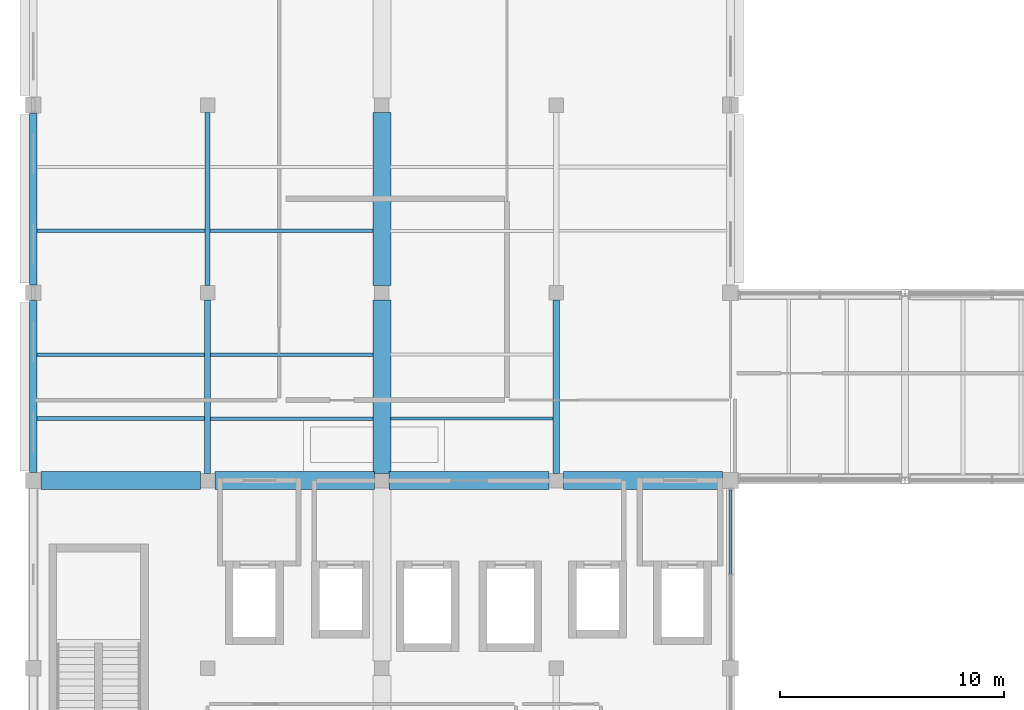
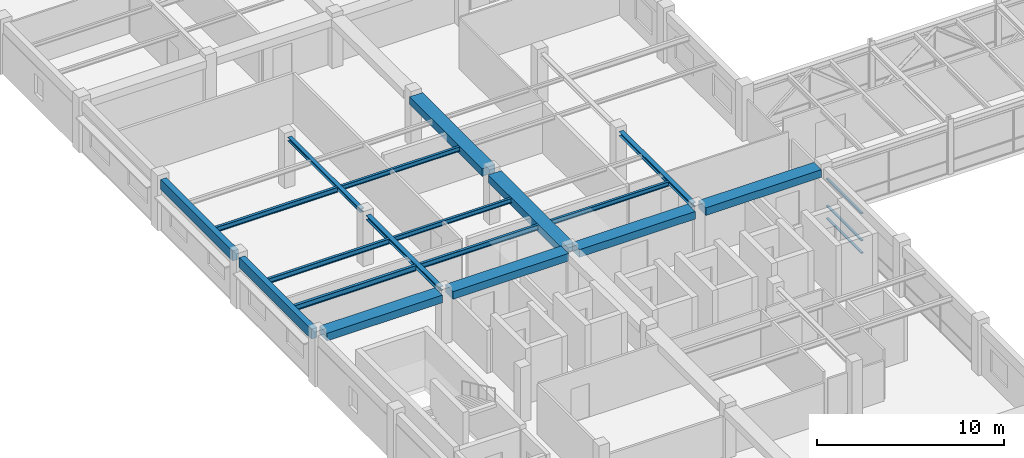
# One storey, part 8 of 49: 18 beams, 3 members, 1 element without a shape of its own.
"""IFC4 building model written with IfcOpenShell, lengths in metres."""

from ifc_helpers import new_model, si_unit, direction, frame, origin, origin_2d, place, context, subcontext, project, spatial, rectangle, hollow_rectangle, i_section, extrude, material, material_profile, profile_set, type_object, element, aggregate, save


model = new_model("IFC4")

# Units and contexts
model_context = context("Model", 3, precision=1e-05, world=origin(), true_north=direction((0.0, 1.0)))
body_context = subcontext(model_context, "Body", "Model", "MODEL_VIEW")
ifc_project = project(units=[si_unit("LENGTHUNIT", "METRE"), si_unit("AREAUNIT", "SQUARE_METRE"), si_unit("VOLUMEUNIT", "CUBIC_METRE"), si_unit("PLANEANGLEUNIT", "RADIAN"), si_unit("MASSUNIT", "GRAM", prefix="KILO"), si_unit("THERMODYNAMICTEMPERATUREUNIT", "KELVIN"), si_unit("POWERUNIT", "WATT")], contexts=[model_context])

# Site, building, storey
site_placement = place(None, origin())
site = spatial("IfcSite", under=ifc_project, at=site_placement, CompositionType="ELEMENT")
building_placement = place(site_placement, origin())
building = spatial("IfcBuilding", under=site, at=building_placement, Name="Srebrne Nadtorze General Hospital", CompositionType="ELEMENT")
storey_placement = place(building_placement, frame((0.0, 0.0, 26.10009765625)))
storey = spatial("IfcBuildingStorey", under=building, at=storey_placement, Name="L06", CompositionType="ELEMENT", Elevation=26.10009765625)

# Curtain wall, members
ifc_material_1 = material(Name="Anodised Aluminium", Category="aluminium")
curtain_wall_type = type_object("IfcCurtainWallType", Name="Unitised curtain wall 7700x2650", PredefinedType="NOTDEFINED", material=ifc_material_1)
curtain_wall_placement = place(storey_placement, origin())
curtain_wall = element("IfcCurtainWall", 1, at=curtain_wall_placement, inside=storey, type_object=curtain_wall_type, Name="Curtain wall CW-151", PredefinedType="NOTDEFINED")
ifc_material_2 = material(Name="Anodised Aluminium", Category="aluminium")
ifc_material_profile_1 = material_profile(ifc_material_2, hollow_rectangle(XDim=0.06494140625, YDim=0.139892578125, WallThickness=0.00390625, at=origin_2d()), Name="AL-TRN-65x140")
ifc_profile_set_1 = profile_set([ifc_material_profile_1], Name="Anodised Aluminium")
member_type = type_object("IfcMemberType", Name="Curtain transom 65x140", PredefinedType="USERDEFINED", material=ifc_profile_set_1)
member_1_placement = place(storey_placement, frame((54.60009765625, 46.232421875, 0.032470703125), z_axis=(0.0, 1.0, 0.0), x_axis=(0.0, 0.0, 1.0)))
member_1 = element("IfcMember", 2, at=member_1_placement, type_object=member_type, Name="CW-151 transom 2.1", ObjectType="TRANSOM", PredefinedType="USERDEFINED", context=body_context, shape_type="SweptSolid", body=[
    extrude(hollow_rectangle(XDim=0.06494140625, YDim=0.139892578125, WallThickness=0.00390625, at=origin_2d()), origin(), (0.0, 0.0, 1.0), 3.752685546875),
])
member_2_placement = place(storey_placement, frame((54.60009765625, 46.232421875, 0.849853515625), z_axis=(0.0, 1.0, 0.0), x_axis=(0.0, 0.0, 1.0)))
member_2 = element("IfcMember", 3, at=member_2_placement, type_object=member_type, Name="CW-151 transom 2.2", ObjectType="TRANSOM", PredefinedType="USERDEFINED", context=body_context, shape_type="SweptSolid", body=[
    extrude(hollow_rectangle(XDim=0.06494140625, YDim=0.139892578125, WallThickness=0.00390625, at=origin_2d()), origin(), (0.0, 0.0, 1.0), 3.752685546875),
])
member_3_placement = place(storey_placement, frame((54.60009765625, 46.232421875, 2.617431640625), z_axis=(0.0, 1.0, 0.0), x_axis=(0.0, 0.0, 1.0)))
member_3 = element("IfcMember", 4, at=member_3_placement, type_object=member_type, Name="CW-151 transom 2.3", ObjectType="TRANSOM", PredefinedType="USERDEFINED", context=body_context, shape_type="SweptSolid", body=[
    extrude(hollow_rectangle(XDim=0.06494140625, YDim=0.139892578125, WallThickness=0.00390625, at=origin_2d()), origin(), (0.0, 0.0, 1.0), 3.752685546875),
])
aggregate(curtain_wall, [member_1, member_2, member_3])

# Beams
ifc_material_3 = material(Name="Steel S355J2", Category="steel")
ifc_material_profile_2 = material_profile(ifc_material_3, i_section(OverallWidth=0.159912109375, OverallDepth=0.330078125, WebThickness=0.007568359375, FlangeThickness=0.011474609375, FilletRadius=0.01806640625, at=origin_2d()), Name="IPE-330")
ifc_profile_set_2 = profile_set([ifc_material_profile_2], Name="Steel S355J2")
beam_type_1 = type_object("IfcBeamType", Name="Deck joist IPE 330", PredefinedType="JOIST", material=ifc_profile_set_2)
beam_1_placement = place(storey_placement, frame((23.570068359375, 56.028076171875, 3.135009765625), z_axis=(1.0, 0.0, 0.0), x_axis=(0.0, 1.0, 0.0)))
element("IfcBeam", 5, at=beam_1_placement, inside=storey, type_object=beam_type_1, Name="Interstitial deck joist SJ-L06-0107", PredefinedType="JOIST", context=body_context, shape_type="SweptSolid", body=[
    extrude(i_section(OverallWidth=0.159912109375, OverallDepth=0.330078125, WebThickness=0.007568359375, FlangeThickness=0.011474609375, FilletRadius=0.01806640625, at=origin_2d()), origin(), (0.0, 0.0, 1.0), 7.494873046875),
])
beam_2_placement = place(storey_placement, frame((23.570068359375, 61.572021484375, 3.135009765625), z_axis=(1.0, 0.0, 0.0), x_axis=(0.0, 1.0, 0.0)))
element("IfcBeam", 6, at=beam_2_placement, inside=storey, type_object=beam_type_1, Name="Interstitial deck joist SJ-L06-0108", PredefinedType="JOIST", context=body_context, shape_type="SweptSolid", body=[
    extrude(i_section(OverallWidth=0.159912109375, OverallDepth=0.330078125, WebThickness=0.007568359375, FlangeThickness=0.011474609375, FilletRadius=0.01806640625, at=origin_2d()), origin(), (0.0, 0.0, 1.0), 7.514892578125),
])
beam_3_placement = place(storey_placement, frame((31.3349609375, 53.172119140625, 3.135009765625), z_axis=(1.0, 0.0, 0.0), x_axis=(0.0, 1.0, 0.0)))
element("IfcBeam", 7, at=beam_3_placement, inside=storey, type_object=beam_type_1, Name="Interstitial deck joist SJ-L06-0112", PredefinedType="JOIST", context=body_context, shape_type="SweptSolid", body=[
    extrude(i_section(OverallWidth=0.159912109375, OverallDepth=0.330078125, WebThickness=0.007568359375, FlangeThickness=0.011474609375, FilletRadius=0.01806640625, at=origin_2d()), origin(), (0.0, 0.0, 1.0), 7.27001953125),
])
ifc_material_4 = material(Name="Steel S355J2", Category="steel")
ifc_material_profile_3 = material_profile(ifc_material_4, i_section(OverallWidth=0.169921875, OverallDepth=0.360107421875, WebThickness=0.008056640625, FlangeThickness=0.0126953125, FilletRadius=0.01806640625, at=origin_2d()), Name="IPE-360")
ifc_profile_set_3 = profile_set([ifc_material_profile_3], Name="Steel S355J2")
beam_type_2 = type_object("IfcBeamType", Name="Deck joist IPE 360", PredefinedType="JOIST", material=ifc_profile_set_3)
beam_4_placement = place(storey_placement, frame((23.570068359375, 53.172119140625, 3.119873046875), z_axis=(1.0, 0.0, 0.0), x_axis=(0.0, 1.0, 0.0)))
element("IfcBeam", 8, at=beam_4_placement, inside=storey, type_object=beam_type_2, Name="Interstitial deck joist SJ-L06-0106", PredefinedType="JOIST", context=body_context, shape_type="SweptSolid", body=[
    extrude(i_section(OverallWidth=0.169921875, OverallDepth=0.360107421875, WebThickness=0.008056640625, FlangeThickness=0.0126953125, FilletRadius=0.01806640625, at=origin_2d()), origin(), (0.0, 0.0, 1.0), 7.494873046875),
])
ifc_material_5 = material(Name="Concrete C35/45", Category="concrete")
ifc_material_profile_4 = material_profile(ifc_material_5, rectangle(XDim=0.35009765625, YDim=0.64990234375, at=origin_2d()), Name="RC-BM-350x650")
ifc_profile_set_4 = profile_set([ifc_material_profile_4], Name="Concrete C35/45")
beam_type_3 = type_object("IfcBeamType", Name="Edge beam RC 350x650", PredefinedType="BEAM", material=ifc_profile_set_4)
beam_5_placement = place(storey_placement, frame((23.39990234375, 50.75, 2.974853515625), z_axis=(0.0, 1.0, 0.0), x_axis=(-1.0, 0.0, 0.0)))
element("IfcBeam", 9, at=beam_5_placement, inside=storey, type_object=beam_type_3, Name="Beam BM-L06-Y-1195", PredefinedType="BEAM", context=body_context, shape_type="SweptSolid", body=[
    extrude(rectangle(XDim=0.35009765625, YDim=0.64990234375, at=origin_2d()), origin(), (0.0, 0.0, 1.0), 7.699951171875),
])
beam_6_placement = place(storey_placement, frame((23.39990234375, 59.14990234375, 2.974853515625), z_axis=(0.0, 1.0, 0.0), x_axis=(-1.0, 0.0, 0.0)))
element("IfcBeam", 10, at=beam_6_placement, inside=storey, type_object=beam_type_3, Name="Beam BM-L06-Y-1196", PredefinedType="BEAM", context=body_context, shape_type="SweptSolid", body=[
    extrude(rectangle(XDim=0.35009765625, YDim=0.64990234375, at=origin_2d()), origin(), (0.0, 0.0, 1.0), 7.7001953125),
])
ifc_material_6 = material(Name="Steel S355J2", Category="steel")
ifc_material_profile_5 = material_profile(ifc_material_6, i_section(OverallWidth=0.280029296875, OverallDepth=0.27001953125, WebThickness=0.008056640625, FlangeThickness=0.012939453125, FilletRadius=0.02392578125, at=origin_2d()), Name="HEA-280")
ifc_profile_set_5 = profile_set([ifc_material_profile_5], Name="Steel S355J2")
beam_type_4 = type_object("IfcBeamType", Name="Primary beam HEA 280", PredefinedType="BEAM", material=ifc_profile_set_5)
beam_7_placement = place(storey_placement, frame((46.800048828125, 50.72509765625, 3.164794921875), z_axis=(0.0, 1.0, 0.0), x_axis=(-1.0, 0.0, 0.0)))
element("IfcBeam", 11, at=beam_7_placement, inside=storey, type_object=beam_type_4, Name="Interstitial steel beam SB-L06-0098", PredefinedType="BEAM", context=body_context, shape_type="SweptSolid", body=[
    extrude(i_section(OverallWidth=0.280029296875, OverallDepth=0.27001953125, WebThickness=0.008056640625, FlangeThickness=0.012939453125, FilletRadius=0.02392578125, at=origin_2d()), origin(), (0.0, 0.0, 1.0), 7.75),
])
ifc_material_7 = material(Name="Steel S355J2", Category="steel")
ifc_material_profile_6 = material_profile(ifc_material_7, i_section(OverallWidth=0.239990234375, OverallDepth=0.239990234375, WebThickness=0.010009765625, FlangeThickness=0.01708984375, FilletRadius=0.02099609375, at=origin_2d()), Name="HEB-240")
ifc_profile_set_6 = profile_set([ifc_material_profile_6], Name="Steel S355J2")
beam_type_5 = type_object("IfcBeamType", Name="Primary beam HEB 240", PredefinedType="BEAM", material=ifc_profile_set_6)
beam_8_placement = place(storey_placement, frame((31.199951171875, 59.125, 3.179931640625), z_axis=(0.0, 1.0, 0.0), x_axis=(-1.0, 0.0, 0.0)))
element("IfcBeam", 12, at=beam_8_placement, inside=storey, type_object=beam_type_5, Name="Interstitial steel beam SB-L06-0095", PredefinedType="BEAM", context=body_context, shape_type="SweptSolid", body=[
    extrude(i_section(OverallWidth=0.239990234375, OverallDepth=0.239990234375, WebThickness=0.010009765625, FlangeThickness=0.01708984375, FilletRadius=0.02099609375, at=origin_2d()), origin(), (0.0, 0.0, 1.0), 7.75),
])
ifc_material_8 = material(Name="Steel S355J2", Category="steel")
ifc_material_profile_7 = material_profile(ifc_material_8, i_section(OverallWidth=0.280029296875, OverallDepth=0.280029296875, WebThickness=0.010498046875, FlangeThickness=0.01806640625, FilletRadius=0.02392578125, at=origin_2d()), Name="HEB-280")
ifc_profile_set_7 = profile_set([ifc_material_profile_7], Name="Steel S355J2")
beam_type_6 = type_object("IfcBeamType", Name="Primary beam HEB 280", PredefinedType="BEAM", material=ifc_profile_set_7)
beam_9_placement = place(storey_placement, frame((31.199951171875, 50.72509765625, 3.159912109375), z_axis=(0.0, 1.0, 0.0), x_axis=(-1.0, 0.0, 0.0)))
element("IfcBeam", 13, at=beam_9_placement, inside=storey, type_object=beam_type_6, Name="Interstitial steel beam SB-L06-0094", PredefinedType="BEAM", context=body_context, shape_type="SweptSolid", body=[
    extrude(i_section(OverallWidth=0.280029296875, OverallDepth=0.280029296875, WebThickness=0.010498046875, FlangeThickness=0.01806640625, FilletRadius=0.02392578125, at=origin_2d()), origin(), (0.0, 0.0, 1.0), 7.75),
])
ifc_material_9 = material(Name="Concrete C40/50", Category="concrete")
ifc_material_profile_8 = material_profile(ifc_material_9, rectangle(XDim=0.800048828125, YDim=0.5, at=origin_2d()), Name="RC-BM-800x500")
ifc_profile_set_8 = profile_set([ifc_material_profile_8], Name="Concrete C40/50")
beam_type_7 = type_object("IfcBeamType", Name="Primary beam RC 800x500", PredefinedType="BEAM", material=ifc_profile_set_8)
beam_10_placement = place(storey_placement, frame((23.75, 50.39990234375, 3.0498046875), z_axis=(1.0, 0.0, 0.0), x_axis=(0.0, 1.0, 0.0)))
element("IfcBeam", 14, at=beam_10_placement, inside=storey, type_object=beam_type_7, Name="Beam BM-L06-X-1150", PredefinedType="BEAM", context=body_context, shape_type="SweptSolid", body=[
    extrude(rectangle(XDim=0.800048828125, YDim=0.5, at=origin_2d()), origin(), (0.0, 0.0, 1.0), 7.125),
])
for number, where, z_axis, x_axis, name in (
    (15, (31.52490234375, 50.39990234375, 3.0498046875), (1.0, 0.0, 0.0), (0.0, 1.0, 0.0), "Beam BM-L06-X-1151"),
    (16, (39.324951171875, 50.39990234375, 3.0498046875), (1.0, 0.0, 0.0), (0.0, 1.0, 0.0), "Beam BM-L06-X-1152"),
):
    element("IfcBeam", number, at=place(storey_placement, frame(where, z_axis=z_axis, x_axis=x_axis)), inside=storey, type_object=beam_type_7, Name=name, PredefinedType="BEAM", context=body_context, shape_type="SweptSolid", body=[
        extrude(rectangle(XDim=0.800048828125, YDim=0.5, at=origin_2d()), origin(), (0.0, 0.0, 1.0), 7.150146484375),
    ])
beam_11_placement = place(storey_placement, frame((47.125, 50.39990234375, 3.0498046875), z_axis=(1.0, 0.0, 0.0), x_axis=(0.0, 1.0, 0.0)))
element("IfcBeam", 17, at=beam_11_placement, inside=storey, type_object=beam_type_7, Name="Beam BM-L06-X-1153", PredefinedType="BEAM", context=body_context, shape_type="SweptSolid", body=[
    extrude(rectangle(XDim=0.800048828125, YDim=0.5, at=origin_2d()), origin(), (0.0, 0.0, 1.0), 7.125),
])
for number, where, z_axis, x_axis, name in (
    (18, (39.0, 50.72509765625, 3.0498046875), (0.0, 1.0, 0.0), (-1.0, 0.0, 0.0), "Beam BM-L06-Y-1204"),
    (19, (39.0, 59.125, 3.0498046875), (0.0, 1.0, 0.0), (-1.0, 0.0, 0.0), "Beam BM-L06-Y-1205"),
):
    element("IfcBeam", number, at=place(storey_placement, frame(where, z_axis=z_axis, x_axis=x_axis)), inside=storey, type_object=beam_type_7, Name=name, PredefinedType="BEAM", context=body_context, shape_type="SweptSolid", body=[
        extrude(rectangle(XDim=0.800048828125, YDim=0.5, at=origin_2d()), origin(), (0.0, 0.0, 1.0), 7.75),
    ])
ifc_material_10 = material(Name="Steel S355J2", Category="steel")
ifc_material_profile_9 = material_profile(ifc_material_10, i_section(OverallWidth=0.14990234375, OverallDepth=0.300048828125, WebThickness=0.007080078125, FlangeThickness=0.0107421875, FilletRadius=0.014892578125, at=origin_2d()), Name="IPE-300")
ifc_profile_set_9 = profile_set([ifc_material_profile_9], Name="Steel S355J2")
beam_type_8 = type_object("IfcBeamType", Name="Secondary joist IPE 300", PredefinedType="JOIST", material=ifc_profile_set_9)
beam_12_placement = place(storey_placement, frame((31.3349609375, 56.028076171875, 3.14990234375), z_axis=(1.0, 0.0, 0.0), x_axis=(0.0, 1.0, 0.0)))
element("IfcBeam", 20, at=beam_12_placement, inside=storey, type_object=beam_type_8, Name="Interstitial deck joist SJ-L06-0113", PredefinedType="JOIST", context=body_context, shape_type="SweptSolid", body=[
    extrude(i_section(OverallWidth=0.14990234375, OverallDepth=0.300048828125, WebThickness=0.007080078125, FlangeThickness=0.0107421875, FilletRadius=0.014892578125, at=origin_2d()), origin(), (0.0, 0.0, 1.0), 7.27001953125),
])
beam_13_placement = place(storey_placement, frame((31.31494140625, 61.572021484375, 3.14990234375), z_axis=(1.0, 0.0, 0.0), x_axis=(0.0, 1.0, 0.0)))
element("IfcBeam", 21, at=beam_13_placement, inside=storey, type_object=beam_type_8, Name="Interstitial deck joist SJ-L06-0114", PredefinedType="JOIST", context=body_context, shape_type="SweptSolid", body=[
    extrude(i_section(OverallWidth=0.14990234375, OverallDepth=0.300048828125, WebThickness=0.007080078125, FlangeThickness=0.0107421875, FilletRadius=0.014892578125, at=origin_2d()), origin(), (0.0, 0.0, 1.0), 7.2900390625),
])
beam_14_placement = place(storey_placement, frame((39.39501953125, 53.172119140625, 3.14990234375), z_axis=(1.0, 0.0, 0.0), x_axis=(0.0, 1.0, 0.0)))
element("IfcBeam", 22, at=beam_14_placement, inside=storey, type_object=beam_type_8, Name="Interstitial deck joist SJ-L06-0120", PredefinedType="JOIST", context=body_context, shape_type="SweptSolid", body=[
    extrude(i_section(OverallWidth=0.14990234375, OverallDepth=0.300048828125, WebThickness=0.007080078125, FlangeThickness=0.0107421875, FilletRadius=0.014892578125, at=origin_2d()), origin(), (0.0, 0.0, 1.0), 7.27001953125),
])

save(model, "model.ifc")
